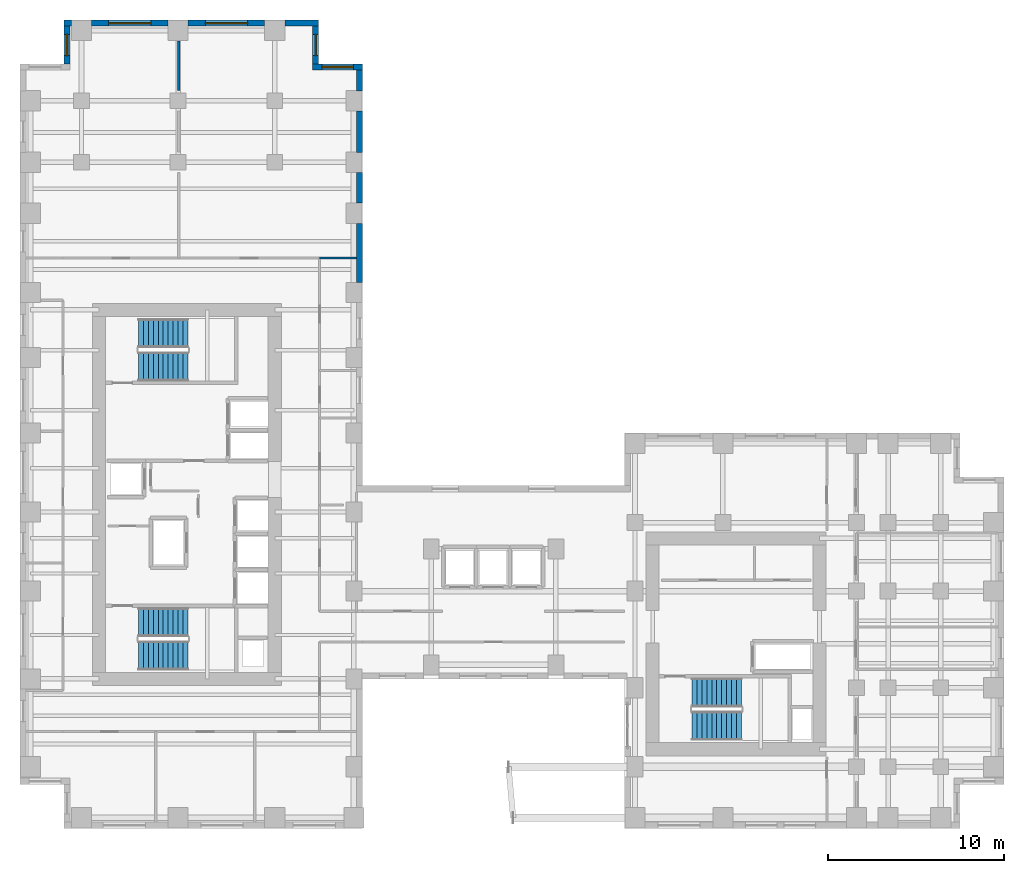
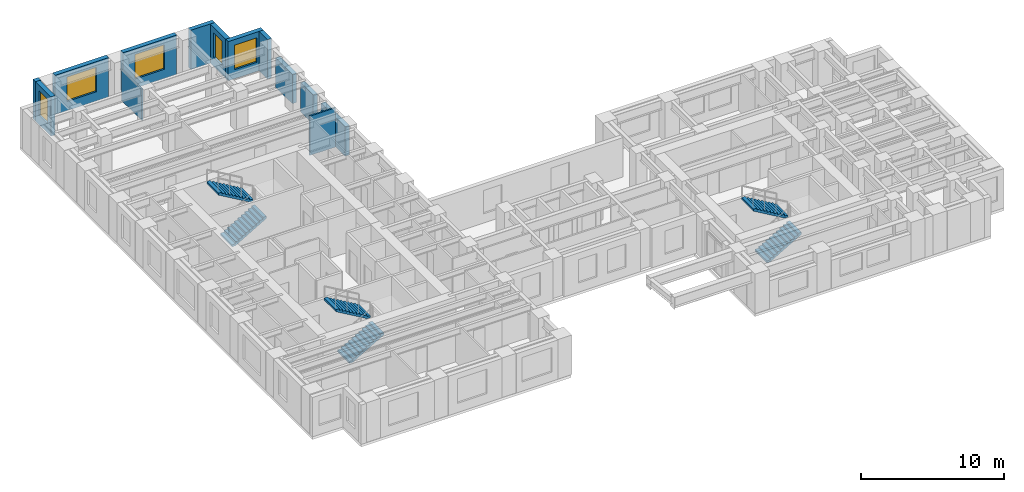
# One storey, part 12 of 14: 13 walls, 6 stair flights, 5 windows, 5 openings, 3 elements without a shape of their own.
"""IFC4 building model written with IfcOpenShell, lengths in metres."""

import ifcopenshell
import ifcopenshell.guid

model = None  # the IFC model being written
_history = None  # IfcOwnerHistory: only IFC2X3 demands one
_inside = {}  # id of a spatial element -> (the spatial element, [elements in it])
_under = {}  # id of a project, library or spatial element -> (it, [spatial elements below it])
_declared = {}  # id of a project -> (the project, [libraries it declares])
_typed = {}  # id of a type object -> (the type object, [elements of that type])
_made_of = {}  # id of a material, layer set ... -> (it, [elements and type objects made of it])


def new_model(schema):
    """Start an empty IFC model of exactly this schema.

    Asked for "IFC4X3", IfcOpenShell would pick the latest addendum, in which some entities
    have other attributes; the version numbers below select the first issue.
    IFC2X3 requires an IfcOwnerHistory on every rooted entity: one is made here for all.
    """
    global model, _history
    if schema == "IFC4X3":
        model = ifcopenshell.file(schema_version=(4, 3, 0, 0))
    else:
        model = ifcopenshell.file(schema=schema)
    _inside.clear()
    _under.clear()
    _declared.clear()
    _typed.clear()
    _made_of.clear()
    _history = None
    if model.schema == "IFC2X3":
        org = make("IfcOrganization", Name="unknown")
        user = make(
            "IfcPersonAndOrganization",
            ThePerson=make("IfcPerson", FamilyName="unknown"),
            TheOrganization=org,
        )
        app = make(
            "IfcApplication",
            ApplicationDeveloper=org,
            Version="unknown",
            ApplicationFullName="unknown",
            ApplicationIdentifier="unknown",
        )
        _history = make(
            "IfcOwnerHistory",
            OwningUser=user,
            OwningApplication=app,
            ChangeAction="ADDED",
            CreationDate=0,
        )
    return model


def make(cls, **values):
    """One entity of the class cls with the attributes given. An attribute that is None is left unset."""
    return model.create_entity(
        cls, **{name: value for name, value in values.items() if value is not None}
    )


def rooted(cls, **values):
    """An entity with a GlobalId (a new one), such as an element, a storey or a relation."""
    return make(cls, GlobalId=ifcopenshell.guid.new(), OwnerHistory=_history, **values)


def si_unit(unit_type, name, prefix=None):
    """IfcSIUnit, for example si_unit("LENGTHUNIT", "METRE", prefix="MILLI")."""
    return make("IfcSIUnit", UnitType=unit_type, Prefix=prefix, Name=name)


def assignment(units):
    """IfcUnitAssignment: the units of a project."""
    return None if units is None else make("IfcUnitAssignment", Units=units)


def point(xyz):
    """IfcCartesianPoint."""
    return None if xyz is None else make("IfcCartesianPoint", Coordinates=xyz)


def direction(xyz):
    """IfcDirection."""
    return None if xyz is None else make("IfcDirection", DirectionRatios=xyz)


def frame(location, z_axis=None, x_axis=None):
    """IfcAxis2Placement3D, a coordinate frame: its origin and axes. An axis left out is left unset."""
    return make(
        "IfcAxis2Placement3D",
        Location=point(location),
        Axis=direction(z_axis),
        RefDirection=direction(x_axis),
    )


def frame_2d(location, x_axis=None):
    """IfcAxis2Placement2D, a coordinate frame in the plane: its origin and x axis."""
    return make(
        "IfcAxis2Placement2D", Location=point(location), RefDirection=direction(x_axis)
    )


def origin():
    """The frame at (0, 0, 0) with its axes left unset."""
    return frame((0.0, 0.0, 0.0))


def place(relative_to, where):
    """IfcLocalPlacement: puts the frame where relative to a parent placement (None: the world)."""
    return make(
        "IfcLocalPlacement", PlacementRelTo=relative_to, RelativePlacement=where
    )


def context(
    kind, dimensions, precision=None, world=None, true_north=None, identifier=None
):
    """IfcGeometricRepresentationContext, for example the 3D "Model" context."""
    return make(
        "IfcGeometricRepresentationContext",
        ContextIdentifier=identifier,
        ContextType=kind,
        CoordinateSpaceDimension=dimensions,
        Precision=precision,
        WorldCoordinateSystem=world,
        TrueNorth=true_north,
    )


def subcontext(parent, identifier, kind, view, scale=None):
    """IfcGeometricRepresentationSubContext, for example "Body" below "Model"."""
    return make(
        "IfcGeometricRepresentationSubContext",
        ContextIdentifier=identifier,
        ContextType=kind,
        ParentContext=parent,
        TargetScale=scale,
        TargetView=view,
    )


def project(units=None, contexts=None):
    """IfcProject with its units and contexts."""
    return rooted(
        "IfcProject",
        Name="project",
        RepresentationContexts=contexts,
        UnitsInContext=assignment(units),
    )


def spatial(cls, under=None, at=None, **own):
    """A site, building, storey or space (cls), placed at a placement, below another one or the project."""
    s = rooted(cls, ObjectPlacement=at, **own)
    if under is not None:
        _under.setdefault(under.id(), (under, []))[1].append(s)
    return s


def polyline(points):
    """IfcPolyline through the points."""
    return make("IfcPolyline", Points=[point(p) for p in points])


def profile(cls, at=None, kind="AREA", **sizes):
    """A parametric profile (cls). Its sizes go by their IFC names, for example OverallWidth=200.0."""
    return make(cls, ProfileType=kind, Position=at, **sizes)


def rectangle(**sizes):
    """IfcRectangleProfileDef."""
    return profile("IfcRectangleProfileDef", **sizes)


def outline(outer, holes=None, kind="AREA"):
    """IfcArbitraryClosedProfileDef: a profile drawn as a closed curve; with holes, ...WithVoids."""
    if holes is None:
        return make("IfcArbitraryClosedProfileDef", ProfileType=kind, OuterCurve=outer)
    return make(
        "IfcArbitraryProfileDefWithVoids",
        ProfileType=kind,
        OuterCurve=outer,
        InnerCurves=holes,
    )


def extrude(swept, where, along, depth):
    """IfcExtrudedAreaSolid: the profile swept, set in the frame where, extruded along a direction by depth."""
    return make(
        "IfcExtrudedAreaSolid",
        SweptArea=swept,
        Position=where,
        ExtrudedDirection=direction(along),
        Depth=depth,
    )


def shape(context_of_items, identifier, shape_type, items):
    """IfcShapeRepresentation: the items that make up one representation, for example the "Body"."""
    return make(
        "IfcShapeRepresentation",
        ContextOfItems=context_of_items,
        RepresentationIdentifier=identifier,
        RepresentationType=shape_type,
        Items=items,
    )


def source(mapping_origin, context_of_items, identifier, shape_type, items):
    """IfcRepresentationMap: a shape defined once, which mapped items show again and again."""
    return make(
        "IfcRepresentationMap",
        MappingOrigin=mapping_origin,
        MappedRepresentation=shape(context_of_items, identifier, shape_type, items),
    )


def transform(
    local_origin,
    x_axis=None,
    y_axis=None,
    z_axis=None,
    scale=None,
    scale2=None,
    scale3=None,
    uniform=True,
):
    """IfcCartesianTransformationOperator3D, or its non-uniform kind. x_axis, y_axis, z_axis: its Axis1, 2, 3."""
    if uniform:
        return make(
            "IfcCartesianTransformationOperator3D",
            Axis1=direction(x_axis),
            Axis2=direction(y_axis),
            LocalOrigin=point(local_origin),
            Scale=scale,
            Axis3=direction(z_axis),
        )
    return make(
        "IfcCartesianTransformationOperator3DnonUniform",
        Axis1=direction(x_axis),
        Axis2=direction(y_axis),
        LocalOrigin=point(local_origin),
        Scale=scale,
        Axis3=direction(z_axis),
        Scale2=scale2,
        Scale3=scale3,
    )


def mapped(mapping_source, mapping_target):
    """IfcMappedItem: shows the shape of a source again, moved by a transform."""
    return make(
        "IfcMappedItem", MappingSource=mapping_source, MappingTarget=mapping_target
    )


def material(Name=None, Category=None):
    """IfcMaterial."""
    return make("IfcMaterial", Name=Name, Category=Category)


def layer(
    of_material, thickness, ventilated=None, Name=None, Category=None, Priority=None
):
    """IfcMaterialLayer: one layer of a wall or slab, of a material (None: an air gap)."""
    return make(
        "IfcMaterialLayer",
        Material=of_material,
        LayerThickness=thickness,
        IsVentilated=ventilated,
        Name=Name,
        Category=Category,
        Priority=Priority,
    )


def layer_set(layers, Name=None):
    """IfcMaterialLayerSet."""
    return make("IfcMaterialLayerSet", MaterialLayers=layers, LayerSetName=Name)


def made_of(thing, what):
    """Note that an element or type object is made of a material, layer set ...; save() writes the relation."""
    if what is not None:
        _made_of.setdefault(what.id(), (what, []))[1].append(thing)
    return thing


def type_object(cls, material=None, **own):
    """A type object (cls), such as IfcWallType, which elements share."""
    return made_of(rooted(cls, **own), material)


def element(
    cls,
    number,
    at=None,
    inside=None,
    cuts=None,
    type_object=None,
    material=None,
    context=None,
    identifier="Body",
    shape_type=None,
    held_by="IfcProductDefinitionShape",
    body=None,
    shapes=None,
    **own,
):
    """One element of the class cls, such as IfcWall. Its Tag is "e" and its number.

    at: its placement. inside: the storey or other place that contains it. cuts: it is an
    opening in that element (IfcRelVoidsElement). A single representation is given by context,
    identifier, shape_type and body (its items); several are given by shapes. held_by: the class
    of the entity that holds the representations. save() writes the other relations.
    """
    e = rooted(cls, Tag="e%d" % number, ObjectPlacement=at, **own)
    if body is not None:
        shapes = [shape(context, identifier, shape_type, body)]
    if shapes is not None:
        e.Representation = make(held_by, Representations=shapes)
    if inside is not None:
        _inside.setdefault(inside.id(), (inside, []))[1].append(e)
    if cuts is not None:
        rooted(
            "IfcRelVoidsElement", RelatingBuildingElement=cuts, RelatedOpeningElement=e
        )
    if type_object is not None:
        _typed.setdefault(type_object.id(), (type_object, []))[1].append(e)
    return made_of(e, material)


def fill(opening, filler):
    """IfcRelFillsElement: the door or window that sits in an opening."""
    return rooted(
        "IfcRelFillsElement",
        RelatingOpeningElement=opening,
        RelatedBuildingElement=filler,
    )


def aggregate(whole, parts):
    """IfcRelAggregates: a whole, such as a stair, and the parts it consists of."""
    return rooted("IfcRelAggregates", RelatingObject=whole, RelatedObjects=parts)


def save(model, path):
    """Write the relations noted so far, then the file.

    IfcRelAggregates (storeys below a building ...), IfcRelContainedInSpatialStructure (elements
    in a storey), IfcRelDefinesByType, IfcRelAssociatesMaterial and IfcRelDeclares: one each for
    every whole, place, type object, material and project.
    """
    for whole, parts in _under.values():
        aggregate(whole, parts)
    for where, things in _inside.values():
        rooted(
            "IfcRelContainedInSpatialStructure",
            RelatedElements=things,
            RelatingStructure=where,
        )
    for kind, things in _typed.values():
        rooted("IfcRelDefinesByType", RelatedObjects=things, RelatingType=kind)
    for what, things in _made_of.values():
        rooted("IfcRelAssociatesMaterial", RelatedObjects=things, RelatingMaterial=what)
    for by, libraries in _declared.values():
        rooted("IfcRelDeclares", RelatingContext=by, RelatedDefinitions=libraries)
    model.write(path)


model = new_model("IFC4")

# Units and contexts
model_context = context("Model", 3, precision=1e-05, world=origin(), true_north=direction((0.0, 1.0)))
body_context = subcontext(model_context, "Body", "Model", "MODEL_VIEW")
ifc_project = project(units=[si_unit("LENGTHUNIT", "METRE"), si_unit("AREAUNIT", "SQUARE_METRE"), si_unit("VOLUMEUNIT", "CUBIC_METRE"), si_unit("PLANEANGLEUNIT", "RADIAN"), si_unit("MASSUNIT", "GRAM", prefix="KILO")], contexts=[model_context])

# Site, building, storey
site_placement = place(None, origin())
site = spatial("IfcSite", under=ifc_project, at=site_placement, CompositionType="ELEMENT")
building_placement = place(site_placement, origin())
building = spatial("IfcBuilding", under=site, at=building_placement, Name="Kharzan Plaza Tower", CompositionType="ELEMENT")
storey_placement = place(building_placement, frame((0.0, 0.0, 131.39990234375)))
storey = spatial("IfcBuildingStorey", under=building, at=storey_placement, Name="L35", CompositionType="ELEMENT", Elevation=131.39990234375)

# Wall, opening, window
ifc_material_1 = material(Name="Concrete C40/50", Category="concrete")
ifc_layer_1 = layer(ifc_material_1, 0.35009765625)
ifc_layer_set_1 = layer_set([ifc_layer_1], Name="Concrete C40/50")
wall_type_1 = type_object("IfcWallType", Name="WL-EXT-MAS-Z2", PredefinedType="SOLIDWALL", material=ifc_layer_set_1)
wall_1_placement = place(storey_placement, frame((19.5, 43.324951171875, 0.0), z_axis=(0.0, 0.0, 1.0), x_axis=(-1.0, 0.0, 0.0)))
wall_1 = element("IfcWall", 1, at=wall_1_placement, inside=storey, type_object=wall_type_1, Name="L35 Masonry-Frame Exterior Wall 08", PredefinedType="SOLIDWALL", context=body_context, shape_type="SweptSolid", body=[
    extrude(rectangle(XDim=2.85009765625, YDim=0.35009765625, at=frame_2d((1.425048828125, 0.0))), origin(), (0.0, 0.0, 1.0), 3.364990234375),
])
opening_1_placement = place(wall_1_placement, frame((0.52490234375, 0.0, 0.780029296875)))
opening_1 = element("IfcOpeningElement", 2, at=opening_1_placement, cuts=wall_1, Name="Opening W1", PredefinedType="OPENING", context=body_context, shape_type="SweptSolid", body=[
    extrude(rectangle(XDim=1.800048828125, YDim=2.10009765625, at=frame_2d((0.89990234375, 1.050048828125))), frame((0.0, 0.18505859375, 0.0), z_axis=(0.0, -1.0, 0.0), x_axis=(1.0, 0.0, 0.0)), (0.0, 0.0, 1.0), 0.3701171875),
])
ifc_material_2 = material(Name="Low-E Double Glazing", Category="glass")
window_type_1 = type_object("IfcWindowType", Name="WN-REC-1800x2100", PartitioningType="SINGLE_PANEL", PredefinedType="WINDOW", material=ifc_material_2)
shared_shape_1 = source(origin(), body_context, "Body", "SweptSolid", [
    extrude(rectangle(XDim=1.800048828125, YDim=2.10009765625, at=frame_2d((0.89990234375, 1.050048828125))), frame((0.0, 0.030029296875, 0.0), z_axis=(0.0, -1.0, 0.0), x_axis=(1.0, 0.0, 0.0)), (0.0, 0.0, 1.0), 0.06005859375),
])
window_1_placement = place(opening_1_placement, origin())
window_1 = element("IfcWindow", 3, at=window_1_placement, inside=storey, type_object=window_type_1, Name="L35 Recessed Solar-Control Window 08-1", OverallHeight=2.10009765625, OverallWidth=1.800048828125, PartitioningType="SINGLE_PANEL", PredefinedType="WINDOW", context=body_context, shape_type="MappedRepresentation", body=[
    mapped(shared_shape_1, transform((0.0, 0.0, 0.0), x_axis=(1.0, 0.0, 0.0), y_axis=(0.0, 1.0, 0.0), z_axis=(0.0, 0.0, 1.0))),
])
fill(opening_1, window_1)

wall_2_placement = place(storey_placement, frame((16.824951171875, 43.498046875, 0.0), z_axis=(0.0, 0.0, 1.0), x_axis=(0.0, 1.0, 0.0)))
wall_2 = element("IfcWall", 4, at=wall_2_placement, inside=storey, type_object=wall_type_1, Name="L35 Masonry-Frame Exterior Wall 09", PredefinedType="SOLIDWALL", context=body_context, shape_type="SweptSolid", body=[
    extrude(rectangle(XDim=2.154052734375, YDim=0.35009765625, at=frame_2d((1.0771484375, 0.0))), origin(), (0.0, 0.0, 1.0), 3.364990234375),
])
opening_2_placement = place(wall_2_placement, frame((0.47705078125, 0.0, 0.780029296875)))
opening_2 = element("IfcOpeningElement", 5, at=opening_2_placement, cuts=wall_2, Name="Opening W3", PredefinedType="OPENING", context=body_context, shape_type="SweptSolid", body=[
    extrude(rectangle(XDim=1.199951171875, YDim=2.10009765625, at=frame_2d((0.60009765625, 1.050048828125))), frame((0.0, 0.18505859375, 0.0), z_axis=(0.0, -1.0, 0.0), x_axis=(1.0, 0.0, 0.0)), (0.0, 0.0, 1.0), 0.3701171875),
])
window_type_2 = type_object("IfcWindowType", Name="WN-REC-1200x2100", PartitioningType="SINGLE_PANEL", PredefinedType="WINDOW", material=ifc_material_2)
shared_shape_2 = source(origin(), body_context, "Body", "SweptSolid", [
    extrude(rectangle(XDim=1.199951171875, YDim=2.10009765625, at=frame_2d((0.60009765625, 1.050048828125))), frame((0.0, 0.030029296875, 0.0), z_axis=(0.0, -1.0, 0.0), x_axis=(1.0, 0.0, 0.0)), (0.0, 0.0, 1.0), 0.06005859375),
])
window_2_placement = place(opening_2_placement, origin())
window_2 = element("IfcWindow", 6, at=window_2_placement, inside=storey, type_object=window_type_2, Name="L35 Recessed Solar-Control Window 09-1", OverallHeight=2.10009765625, OverallWidth=1.199951171875, PartitioningType="SINGLE_PANEL", PredefinedType="WINDOW", context=body_context, shape_type="MappedRepresentation", body=[
    mapped(shared_shape_2, transform((0.0, 0.0, 0.0), x_axis=(1.0, 0.0, 0.0), y_axis=(0.0, 1.0, 0.0), z_axis=(0.0, 0.0, 1.0))),
])
fill(opening_2, window_2)

wall_3_placement = place(storey_placement, frame((13.927001953125, 45.824951171875, 0.0), z_axis=(0.0, 0.0, 1.0), x_axis=(-1.0, 0.0, 0.0)))
wall_3 = element("IfcWall", 7, at=wall_3_placement, inside=storey, type_object=wall_type_1, Name="L35 Masonry-Frame Exterior Wall 11", PredefinedType="SOLIDWALL", context=body_context, shape_type="SweptSolid", body=[
    extrude(rectangle(XDim=4.35400390625, YDim=0.35009765625, at=frame_2d((2.177001953125, 0.0))), origin(), (0.0, 0.0, 1.0), 3.364990234375),
])
opening_3_placement = place(wall_3_placement, frame((0.97705078125, 0.0, 0.780029296875)))
opening_3 = element("IfcOpeningElement", 8, at=opening_3_placement, cuts=wall_3, Name="Opening W2", PredefinedType="OPENING", context=body_context, shape_type="SweptSolid", body=[
    extrude(rectangle(XDim=2.39990234375, YDim=2.10009765625, at=frame_2d((1.199951171875, 1.050048828125))), frame((0.0, 0.18505859375, 0.0), z_axis=(0.0, -1.0, 0.0), x_axis=(1.0, 0.0, 0.0)), (0.0, 0.0, 1.0), 0.3701171875),
])
window_type_3 = type_object("IfcWindowType", Name="WN-REC-2400x2100", PartitioningType="SINGLE_PANEL", PredefinedType="WINDOW", material=ifc_material_2)
shared_shape_3 = source(origin(), body_context, "Body", "SweptSolid", [
    extrude(rectangle(XDim=2.39990234375, YDim=2.10009765625, at=frame_2d((1.199951171875, 1.050048828125))), frame((0.0, 0.030029296875, 0.0), z_axis=(0.0, -1.0, 0.0), x_axis=(1.0, 0.0, 0.0)), (0.0, 0.0, 1.0), 0.06005859375),
])
window_3_placement = place(opening_3_placement, origin())
window_3 = element("IfcWindow", 9, at=window_3_placement, inside=storey, type_object=window_type_3, Name="L35 Wide Recessed Solar-Control Window 11-1", OverallHeight=2.10009765625, OverallWidth=2.39990234375, PartitioningType="SINGLE_PANEL", PredefinedType="WINDOW", context=body_context, shape_type="MappedRepresentation", body=[
    mapped(shared_shape_3, transform((0.0, 0.0, 0.0), x_axis=(1.0, 0.0, 0.0), y_axis=(0.0, 1.0, 0.0), z_axis=(0.0, 0.0, 1.0))),
])
fill(opening_3, window_3)

wall_4_placement = place(storey_placement, frame((8.427001953125, 45.824951171875, 0.0), z_axis=(0.0, 0.0, 1.0), x_axis=(-1.0, 0.0, 0.0)))
wall_4 = element("IfcWall", 10, at=wall_4_placement, inside=storey, type_object=wall_type_1, Name="L35 Masonry-Frame Exterior Wall 12", PredefinedType="SOLIDWALL", context=body_context, shape_type="SweptSolid", body=[
    extrude(rectangle(XDim=4.35400390625, YDim=0.35009765625, at=frame_2d((2.177001953125, 0.0))), origin(), (0.0, 0.0, 1.0), 3.364990234375),
])
opening_4_placement = place(wall_4_placement, frame((0.97705078125, 0.0, 0.780029296875)))
opening_4 = element("IfcOpeningElement", 11, at=opening_4_placement, cuts=wall_4, Name="Opening W2", PredefinedType="OPENING", context=body_context, shape_type="SweptSolid", body=[
    extrude(rectangle(XDim=2.39990234375, YDim=2.10009765625, at=frame_2d((1.199951171875, 1.050048828125))), frame((0.0, 0.18505859375, 0.0), z_axis=(0.0, -1.0, 0.0), x_axis=(1.0, 0.0, 0.0)), (0.0, 0.0, 1.0), 0.3701171875),
])
window_4_placement = place(opening_4_placement, origin())
window_4 = element("IfcWindow", 12, at=window_4_placement, inside=storey, type_object=window_type_3, Name="L35 Wide Recessed Solar-Control Window 12-1", OverallHeight=2.10009765625, OverallWidth=2.39990234375, PartitioningType="SINGLE_PANEL", PredefinedType="WINDOW", context=body_context, shape_type="MappedRepresentation", body=[
    mapped(shared_shape_3, transform((0.0, 0.0, 0.0), x_axis=(1.0, 0.0, 0.0), y_axis=(0.0, 1.0, 0.0), z_axis=(0.0, 0.0, 1.0))),
])
fill(opening_4, window_4)

wall_5_placement = place(storey_placement, frame((2.675048828125, 45.652099609375, 0.0), z_axis=(0.0, 0.0, 1.0), x_axis=(0.0, -1.0, 0.0)))
wall_5 = element("IfcWall", 13, at=wall_5_placement, inside=storey, type_object=wall_type_1, Name="L35 Masonry-Frame Exterior Wall 14", PredefinedType="SOLIDWALL", context=body_context, shape_type="SweptSolid", body=[
    extrude(rectangle(XDim=2.154052734375, YDim=0.35009765625, at=frame_2d((1.0771484375, 0.0))), origin(), (0.0, 0.0, 1.0), 3.364990234375),
])
opening_5_placement = place(wall_5_placement, frame((0.47705078125, 0.0, 0.780029296875)))
opening_5 = element("IfcOpeningElement", 14, at=opening_5_placement, cuts=wall_5, Name="Opening W3", PredefinedType="OPENING", context=body_context, shape_type="SweptSolid", body=[
    extrude(rectangle(XDim=1.199951171875, YDim=2.10009765625, at=frame_2d((0.60009765625, 1.050048828125))), frame((0.0, 0.18505859375, 0.0), z_axis=(0.0, -1.0, 0.0), x_axis=(1.0, 0.0, 0.0)), (0.0, 0.0, 1.0), 0.3701171875),
])
window_5_placement = place(opening_5_placement, origin())
window_5 = element("IfcWindow", 15, at=window_5_placement, inside=storey, type_object=window_type_2, Name="L35 Recessed Solar-Control Window 14-1", OverallHeight=2.10009765625, OverallWidth=1.199951171875, PartitioningType="SINGLE_PANEL", PredefinedType="WINDOW", context=body_context, shape_type="MappedRepresentation", body=[
    mapped(shared_shape_2, transform((0.0, 0.0, 0.0), x_axis=(1.0, 0.0, 0.0), y_axis=(0.0, 1.0, 0.0), z_axis=(0.0, 0.0, 1.0))),
])
fill(opening_5, window_5)

# Walls
ifc_material_3 = material(Name="Fire-Rated Gypsum Board Partition", Category="gypsum")
ifc_layer_2 = layer(ifc_material_3, 0.125)
ifc_layer_set_2 = layer_set([ifc_layer_2], Name="Fire-Rated Gypsum Board Partition")
wall_type_2 = type_object("IfcWallType", Name="WL-INT-PART-125", PredefinedType="PARTITIONING", material=ifc_layer_set_2)
shared_shape_4 = source(origin(), body_context, "Body", "SweptSolid", [
    extrude(rectangle(XDim=2.097900390625, YDim=0.125, at=frame_2d((1.048828125, 0.0))), origin(), (0.0, 0.0, 1.0), 3.364990234375),
])
wall_6_placement = place(storey_placement, frame((17.050048828125, 32.449951171875, 0.0), z_axis=(0.0, 0.0, 1.0), x_axis=(1.0, 0.0, 0.0)))
element("IfcWall", 16, at=wall_6_placement, inside=storey, type_object=wall_type_2, Name="L35 Interior Partition SH-NNE0", PredefinedType="PARTITIONING", context=body_context, shape_type="MappedRepresentation", body=[
    mapped(shared_shape_4, transform((0.0, 0.0, 0.0), x_axis=(1.0, 0.0, 0.0), y_axis=(0.0, 1.0, 0.0), z_axis=(0.0, 0.0, 1.0))),
])
shared_shape_5 = source(origin(), body_context, "Body", "SweptSolid", [
    extrude(rectangle(XDim=1.927001953125, YDim=0.35009765625, at=frame_2d((0.96337890625, 0.0))), origin(), (0.0, 0.0, 1.0), 3.364990234375),
])
wall_7_placement = place(storey_placement, frame((17.0, 45.824951171875, 0.0), z_axis=(0.0, 0.0, 1.0), x_axis=(-1.0, 0.0, 0.0)))
element("IfcWall", 17, at=wall_7_placement, inside=storey, type_object=wall_type_1, Name="L35 Masonry-Frame Exterior Wall 10", PredefinedType="SOLIDWALL", context=body_context, shape_type="MappedRepresentation", body=[
    mapped(shared_shape_5, transform((0.0, 0.0, 0.0), x_axis=(1.0, 0.0, 0.0), y_axis=(0.0, 1.0, 0.0), z_axis=(0.0, 0.0, 1.0))),
])
shared_shape_6 = source(origin(), body_context, "Body", "SweptSolid", [
    extrude(rectangle(XDim=0.427001953125, YDim=0.35009765625, at=frame_2d((0.21337890625, 0.0))), origin(), (0.0, 0.0, 1.0), 3.364990234375),
])
wall_8_placement = place(storey_placement, frame((2.927001953125, 45.824951171875, 0.0), z_axis=(0.0, 0.0, 1.0), x_axis=(-1.0, 0.0, 0.0)))
element("IfcWall", 18, at=wall_8_placement, inside=storey, type_object=wall_type_1, Name="L35 Masonry-Frame Exterior Wall 13", PredefinedType="SOLIDWALL", context=body_context, shape_type="MappedRepresentation", body=[
    mapped(shared_shape_6, transform((0.0, 0.0, 0.0), x_axis=(1.0, 0.0, 0.0), y_axis=(0.0, 1.0, 0.0), z_axis=(0.0, 0.0, 1.0))),
])
shared_shape_7 = source(origin(), body_context, "Body", "SweptSolid", [
    extrude(rectangle(XDim=1.17919921875, YDim=0.35009765625, at=frame_2d((0.589599609375, 0.0))), origin(), (0.0, 0.0, 1.0), 3.364990234375),
])
wall_9_placement = place(storey_placement, frame((19.324951171875, 41.972900390625, 0.0), z_axis=(0.0, 0.0, 1.0), x_axis=(0.0, 1.0, 0.0)))
element("IfcWall", 19, at=wall_9_placement, inside=storey, type_object=wall_type_1, Name="L35 Masonry-Frame Exterior Wall 07", PredefinedType="SOLIDWALL", context=body_context, shape_type="MappedRepresentation", body=[
    mapped(shared_shape_7, transform((0.0, 0.0, 0.0), x_axis=(1.0, 0.0, 0.0), y_axis=(0.0, 1.0, 0.0), z_axis=(0.0, 0.0, 1.0))),
])
shared_shape_8 = source(origin(), body_context, "Body", "SweptSolid", [
    extrude(rectangle(XDim=1.75390625, YDim=0.35009765625, at=frame_2d((0.876953125, 0.0))), origin(), (0.0, 0.0, 1.0), 2.51904296875),
])
wall_10_placement = place(storey_placement, frame((19.324951171875, 35.572998046875, 0.0), z_axis=(0.0, 0.0, 1.0), x_axis=(0.0, 1.0, 0.0)))
element("IfcWall", 20, at=wall_10_placement, inside=storey, type_object=wall_type_1, Name="L35 Masonry-Frame Exterior Wall 05", PredefinedType="SOLIDWALL", context=body_context, shape_type="MappedRepresentation", body=[
    mapped(shared_shape_8, transform((0.0, 0.0, 0.0), x_axis=(1.0, 0.0, 0.0), y_axis=(0.0, 1.0, 0.0), z_axis=(0.0, 0.0, 1.0))),
])
shared_shape_9 = source(origin(), body_context, "Body", "SweptSolid", [
    extrude(rectangle(XDim=3.35400390625, YDim=0.35009765625, at=frame_2d((1.677001953125, 0.0))), origin(), (0.0, 0.0, 1.0), 2.51904296875),
])
wall_11_placement = place(storey_placement, frame((19.324951171875, 31.072998046875, 0.0), z_axis=(0.0, 0.0, 1.0), x_axis=(0.0, 1.0, 0.0)))
element("IfcWall", 21, at=wall_11_placement, inside=storey, type_object=wall_type_1, Name="L35 Masonry-Frame Exterior Wall 04", PredefinedType="SOLIDWALL", context=body_context, shape_type="MappedRepresentation", body=[
    mapped(shared_shape_9, transform((0.0, 0.0, 0.0), x_axis=(1.0, 0.0, 0.0), y_axis=(0.0, 1.0, 0.0), z_axis=(0.0, 0.0, 1.0))),
])
shared_shape_10 = source(origin(), body_context, "Body", "SweptSolid", [
    extrude(rectangle(XDim=2.35400390625, YDim=0.35009765625, at=frame_2d((1.177001953125, 0.0))), origin(), (0.0, 0.0, 1.0), 2.51904296875),
])
wall_12_placement = place(storey_placement, frame((19.324951171875, 38.472900390625, 0.0), z_axis=(0.0, 0.0, 1.0), x_axis=(0.0, 1.0, 0.0)))
element("IfcWall", 22, at=wall_12_placement, inside=storey, type_object=wall_type_1, Name="L35 Masonry-Frame Exterior Wall 06", PredefinedType="SOLIDWALL", context=body_context, shape_type="MappedRepresentation", body=[
    mapped(shared_shape_10, transform((0.0, 0.0, 0.0), x_axis=(1.0, 0.0, 0.0), y_axis=(0.0, 1.0, 0.0), z_axis=(0.0, 0.0, 1.0))),
])
shared_shape_11 = source(origin(), body_context, "Body", "SweptSolid", [
    extrude(rectangle(XDim=2.820068359375, YDim=0.125, at=frame_2d((1.41015625, 0.0))), origin(), (0.0, 0.0, 1.0), 2.677001953125),
])
wall_13_placement = place(storey_placement, frame((9.0390625, 41.989990234375, 0.0), z_axis=(0.0, 0.0, 1.0), x_axis=(0.0, 1.0, 0.0)))
element("IfcWall", 23, at=wall_13_placement, inside=storey, type_object=wall_type_2, Name="L35 Interior Partition SH-NV-1-S3", PredefinedType="PARTITIONING", context=body_context, shape_type="MappedRepresentation", body=[
    mapped(shared_shape_11, transform((0.0, 0.0, 0.0), x_axis=(1.0, 0.0, 0.0), y_axis=(0.0, 1.0, 0.0), z_axis=(0.0, 0.0, 1.0))),
])

# Stair, stair flights
stair_type_1 = type_object("IfcStairType", Name="STR-ST-1", PredefinedType="HALF_TURN_STAIR", material=ifc_material_1)
stair_1_placement = place(storey_placement, origin())
stair_1 = element("IfcStair", 24, at=stair_1_placement, inside=storey, type_object=stair_type_1, Name="L35 Protected Exit Stair ST-1", PredefinedType="HALF_TURN_STAIR")
stair_flight_type = type_object("IfcStairFlightType", Name="SFL-1650-R173", PredefinedType="STRAIGHT", material=ifc_material_1)
shared_shape_12 = source(origin(), body_context, "Body", "SweptSolid", [
    extrude(outline(polyline([(-0.0029296875, -0.011962890625), (-0.0029296875, 0.0), (0.0, 0.0), (0.0, 0.16357421875), (0.280029296875, 0.16357421875), (0.280029296875, 0.3271484375), (0.56005859375, 0.3271484375), (0.56005859375, 0.49072265625), (0.840087890625, 0.49072265625), (0.840087890625, 0.654296875), (1.1201171875, 0.654296875), (1.1201171875, 0.81787109375), (1.400146484375, 0.81787109375), (1.400146484375, 0.9814453125), (1.68017578125, 0.9814453125), (1.68017578125, 1.14501953125), (1.960205078125, 1.14501953125), (1.960205078125, 1.30859375), (2.240234375, 1.30859375), (2.240234375, 1.47216796875), (2.520263671875, 1.47216796875), (2.520263671875, 1.6357421875), (2.80029296875, 1.6357421875), (2.80029296875, 1.79931640625), (2.80029296875, 1.462158203125), (0.297119140625, 0.0), (0.297119140625, -0.011962890625), (-0.0029296875, -0.011962890625)])), frame((0.0, 0.824951171875, 0.0), z_axis=(0.0, -1.0, 0.0), x_axis=(1.0, 0.0, 0.0)), (0.0, 0.0, 1.0), 1.64990234375),
])
stair_flight_1_placement = place(storey_placement, frame((6.75, 9.824951171875, 0.0), z_axis=(0.0, 0.0, 1.0), x_axis=(1.0, 0.0, 0.0)))
stair_flight_1 = element("IfcStairFlight", 25, at=stair_flight_1_placement, type_object=stair_flight_type, Name="ST-1 flight 1", NumberOfRisers=11, NumberOfTreads=10, PredefinedType="STRAIGHT", RiserHeight=0.163636364, TreadLength=0.28, context=body_context, shape_type="MappedRepresentation", body=[
    mapped(shared_shape_12, transform((0.0, 0.0, 0.0), x_axis=(1.0, 0.0, 0.0), y_axis=(0.0, 1.0, 0.0), z_axis=(0.0, 0.0, 1.0))),
])
stair_flight_2_placement = place(storey_placement, frame((9.550048828125, 11.72509765625, 1.800048828125), z_axis=(0.0, 0.0, 1.0), x_axis=(-1.0, 0.0, 0.0)))
stair_flight_2 = element("IfcStairFlight", 26, at=stair_flight_2_placement, type_object=stair_flight_type, Name="ST-1 flight 2", NumberOfRisers=11, NumberOfTreads=10, PredefinedType="STRAIGHT", RiserHeight=0.163636364, TreadLength=0.28, context=body_context, shape_type="MappedRepresentation", body=[
    mapped(shared_shape_12, transform((0.0, 0.0, 0.0), x_axis=(1.0, 0.0, 0.0), y_axis=(0.0, 1.0, 0.0), z_axis=(0.0, 0.0, 1.0))),
])
aggregate(stair_1, [stair_flight_1, stair_flight_2])

stair_type_2 = type_object("IfcStairType", Name="STR-ST-2", PredefinedType="HALF_TURN_STAIR", material=ifc_material_1)
stair_2_placement = place(storey_placement, origin())
stair_2 = element("IfcStair", 27, at=stair_2_placement, inside=storey, type_object=stair_type_2, Name="L35 Protected Exit Stair ST-2", PredefinedType="HALF_TURN_STAIR")
stair_flight_3_placement = place(storey_placement, frame((6.75, 26.27490234375, 0.0), z_axis=(0.0, 0.0, 1.0), x_axis=(1.0, 0.0, 0.0)))
stair_flight_3 = element("IfcStairFlight", 28, at=stair_flight_3_placement, type_object=stair_flight_type, Name="ST-2 flight 1", NumberOfRisers=11, NumberOfTreads=10, PredefinedType="STRAIGHT", RiserHeight=0.163636364, TreadLength=0.28, context=body_context, shape_type="MappedRepresentation", body=[
    mapped(shared_shape_12, transform((0.0, 0.0, 0.0), x_axis=(1.0, 0.0, 0.0), y_axis=(0.0, 1.0, 0.0), z_axis=(0.0, 0.0, 1.0))),
])
stair_flight_4_placement = place(storey_placement, frame((9.550048828125, 28.175048828125, 1.800048828125), z_axis=(0.0, 0.0, 1.0), x_axis=(-1.0, 0.0, 0.0)))
stair_flight_4 = element("IfcStairFlight", 29, at=stair_flight_4_placement, type_object=stair_flight_type, Name="ST-2 flight 2", NumberOfRisers=11, NumberOfTreads=10, PredefinedType="STRAIGHT", RiserHeight=0.163636364, TreadLength=0.28, context=body_context, shape_type="MappedRepresentation", body=[
    mapped(shared_shape_12, transform((0.0, 0.0, 0.0), x_axis=(1.0, 0.0, 0.0), y_axis=(0.0, 1.0, 0.0), z_axis=(0.0, 0.0, 1.0))),
])
aggregate(stair_2, [stair_flight_3, stair_flight_4])

stair_type_3 = type_object("IfcStairType", Name="STR-ST-3", PredefinedType="HALF_TURN_STAIR", material=ifc_material_1)
stair_3_placement = place(storey_placement, origin())
stair_3 = element("IfcStair", 30, at=stair_3_placement, inside=storey, type_object=stair_type_3, Name="L35 Protected Exit Stair ST-3", PredefinedType="HALF_TURN_STAIR")
stair_flight_5_placement = place(storey_placement, frame((38.25, 5.824951171875, 0.0), z_axis=(0.0, 0.0, 1.0), x_axis=(1.0, 0.0, 0.0)))
stair_flight_5 = element("IfcStairFlight", 31, at=stair_flight_5_placement, type_object=stair_flight_type, Name="ST-3 flight 1", NumberOfRisers=11, NumberOfTreads=10, PredefinedType="STRAIGHT", RiserHeight=0.163636364, TreadLength=0.28, context=body_context, shape_type="MappedRepresentation", body=[
    mapped(shared_shape_12, transform((0.0, 0.0, 0.0), x_axis=(1.0, 0.0, 0.0), y_axis=(0.0, 1.0, 0.0), z_axis=(0.0, 0.0, 1.0))),
])
stair_flight_6_placement = place(storey_placement, frame((41.050048828125, 7.72509765625, 1.800048828125), z_axis=(0.0, 0.0, 1.0), x_axis=(-1.0, 0.0, 0.0)))
stair_flight_6 = element("IfcStairFlight", 32, at=stair_flight_6_placement, type_object=stair_flight_type, Name="ST-3 flight 2", NumberOfRisers=11, NumberOfTreads=10, PredefinedType="STRAIGHT", RiserHeight=0.163636364, TreadLength=0.28, context=body_context, shape_type="MappedRepresentation", body=[
    mapped(shared_shape_12, transform((0.0, 0.0, 0.0), x_axis=(1.0, 0.0, 0.0), y_axis=(0.0, 1.0, 0.0), z_axis=(0.0, 0.0, 1.0))),
])
aggregate(stair_3, [stair_flight_5, stair_flight_6])

save(model, "model.ifc")
